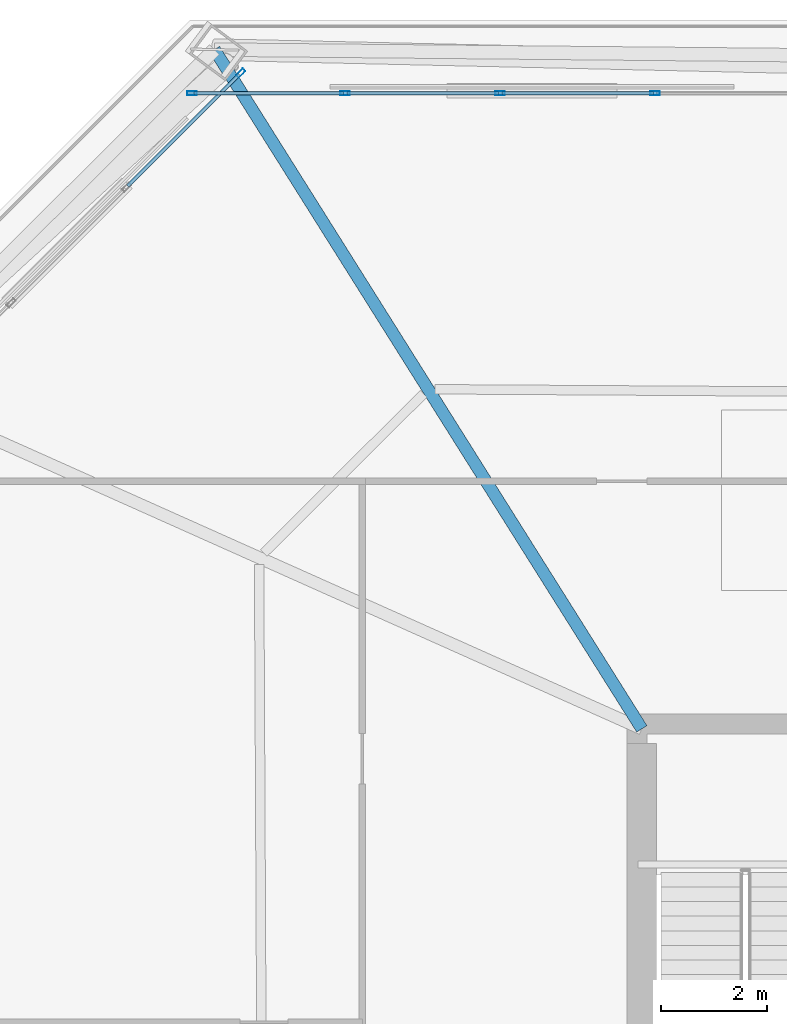
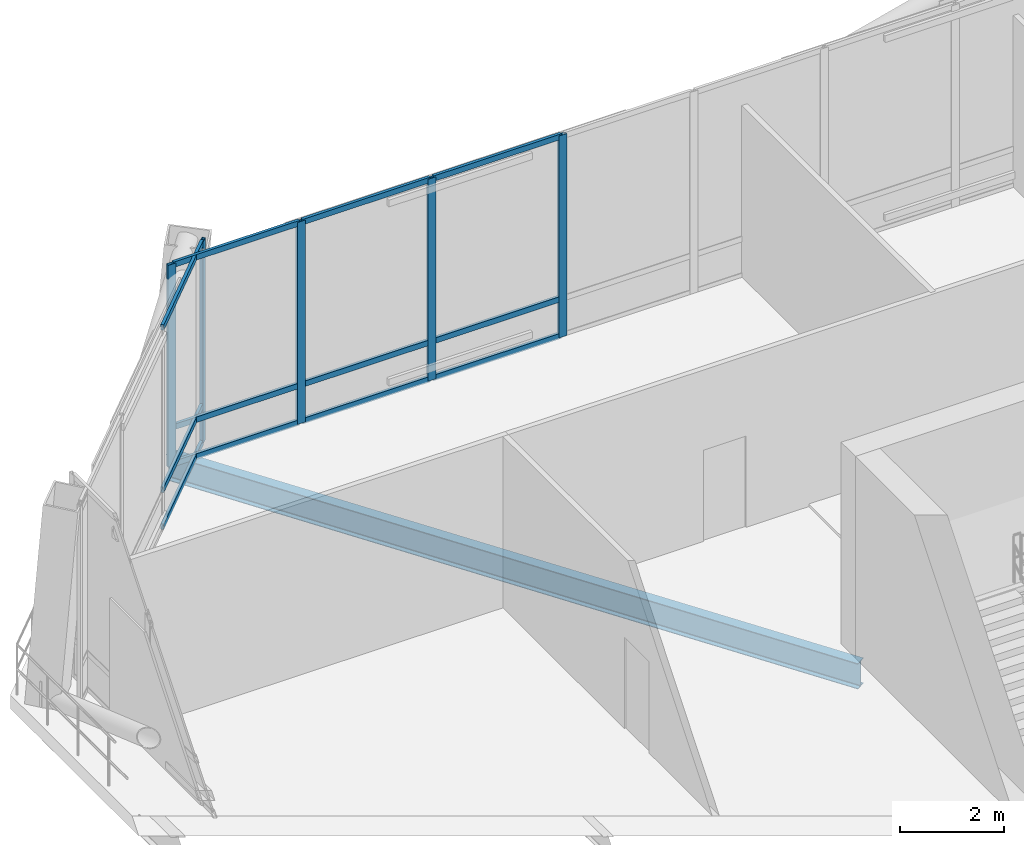
# One storey, part 20 of 34: 17 members, 1 beam, 2 elements without a shape of their own.
"""IFC4 building model written with IfcOpenShell, lengths in metres."""

from ifc_helpers import new_model, si_unit, direction, frame, origin, origin_2d, place, context, subcontext, project, spatial, hollow_rectangle, i_section, extrude, material, layer, layer_set, material_profile, profile_set, type_object, element, aggregate, save


model = new_model("IFC4")

# Units and contexts
model_context = context("Model", 3, precision=1e-05, world=origin(), true_north=direction((0.0, 1.0)))
body_context = subcontext(model_context, "Body", "Model", "MODEL_VIEW")
ifc_project = project(units=[si_unit("LENGTHUNIT", "METRE"), si_unit("AREAUNIT", "SQUARE_METRE"), si_unit("VOLUMEUNIT", "CUBIC_METRE"), si_unit("PLANEANGLEUNIT", "RADIAN"), si_unit("MASSUNIT", "GRAM", prefix="KILO")], contexts=[model_context])

# Site, building, storey
site_placement = place(None, origin())
site = spatial("IfcSite", under=ifc_project, at=site_placement, CompositionType="ELEMENT")
building_placement = place(site_placement, origin())
building = spatial("IfcBuilding", under=site, at=building_placement, Name="Caelvoria Tower", CompositionType="ELEMENT")
storey_placement = place(building_placement, frame((0.0, 0.0, 172.0)))
storey = spatial("IfcBuildingStorey", under=building, at=storey_placement, Name="L45", CompositionType="ELEMENT", Elevation=172.0)

# Curtain wall, members
ifc_material_1 = material(Name="Anodised Bronze Aluminium and Low-E Glass", Category="aluminium")
ifc_layer = layer(ifc_material_1, 0.2099609375, Name="Anodised Bronze Aluminium and Low-E Glass")
ifc_layer_set = layer_set([ifc_layer], Name="CW System 3 Sky Lobby Double-Height Acoustic Facade - Anodised Bronze Aluminium and Low-E Glass")
curtain_wall_type = type_object("IfcCurtainWallType", Name="CW System 3 Sky Lobby Double-Height Acoustic Facade", PredefinedType="NOTDEFINED", material=ifc_layer_set)
curtain_wall_1_placement = place(storey_placement, origin())
curtain_wall_1 = element("IfcCurtainWall", 1, at=curtain_wall_1_placement, inside=storey, type_object=curtain_wall_type, Name="CW-03 Curtain Wall L45-E4", PredefinedType="NOTDEFINED")
ifc_material_2 = material(Name="Anodised Bronze Architectural Aluminium", Category="aluminium")
ifc_material_profile_1 = material_profile(ifc_material_2, hollow_rectangle(XDim=0.070068359375, YDim=0.179931640625, WallThickness=0.00390625, at=origin_2d()), Name="Anodised Bronze Architectural Aluminium")
ifc_profile_set_1 = profile_set([ifc_material_profile_1], Name="CW_MULL_70X180 - Anodised Bronze Architectural Aluminium")
member_type_1 = type_object("IfcMemberType", Name="Curtain Wall Mullion 70x180 Bronze Aluminium", PredefinedType="MULLION", material=ifc_profile_set_1)
member_1_placement = place(storey_placement, frame((37.25, 51.9599609375, 0.0), z_axis=(0.0, 0.0, 1.0), x_axis=(0.0, -1.0, 0.0)))
member_1 = element("IfcMember", 2, at=member_1_placement, type_object=member_type_1, Name="CW-03 mullion 10", PredefinedType="MULLION", context=body_context, shape_type="SweptSolid", body=[
    extrude(hollow_rectangle(XDim=0.070068359375, YDim=0.179931640625, WallThickness=0.00390625, at=origin_2d()), origin(), (0.0, 0.0, 1.0), 4.760009765625),
])
member_2_placement = place(storey_placement, frame((34.333251953125, 51.9599609375, 0.0), z_axis=(0.0, 0.0, 1.0), x_axis=(0.0, -1.0, 0.0)))
member_2 = element("IfcMember", 3, at=member_2_placement, type_object=member_type_1, Name="CW-03 mullion 11", PredefinedType="MULLION", context=body_context, shape_type="SweptSolid", body=[
    extrude(hollow_rectangle(XDim=0.070068359375, YDim=0.179931640625, WallThickness=0.00390625, at=origin_2d()), origin(), (0.0, 0.0, 1.0), 4.760009765625),
])
member_3_placement = place(storey_placement, frame((31.416748046875, 51.9599609375, 0.0), z_axis=(0.0, 0.0, 1.0), x_axis=(0.0, -1.0, 0.0)))
member_3 = element("IfcMember", 4, at=member_3_placement, type_object=member_type_1, Name="CW-03 mullion 12", PredefinedType="MULLION", context=body_context, shape_type="SweptSolid", body=[
    extrude(hollow_rectangle(XDim=0.070068359375, YDim=0.179931640625, WallThickness=0.00390625, at=origin_2d()), origin(), (0.0, 0.0, 1.0), 4.760009765625),
])
member_4_placement = place(storey_placement, frame((28.534912109375, 51.9599609375, 0.0), z_axis=(0.0, 0.0, 1.0), x_axis=(0.0, -1.0, 0.0)))
member_4 = element("IfcMember", 5, at=member_4_placement, type_object=member_type_1, Name="CW-03 mullion 13", PredefinedType="MULLION", context=body_context, shape_type="SweptSolid", body=[
    extrude(hollow_rectangle(XDim=0.070068359375, YDim=0.179931640625, WallThickness=0.00390625, at=origin_2d()), origin(), (0.0, 0.0, 1.0), 4.760009765625),
])

# Curtain wall, member
curtain_wall_2_placement = place(storey_placement, origin())
curtain_wall_2 = element("IfcCurtainWall", 6, at=curtain_wall_2_placement, inside=storey, type_object=curtain_wall_type, Name="CW-03 Curtain Wall L45-E5", PredefinedType="NOTDEFINED")
member_5_placement = place(storey_placement, frame((29.451171875, 52.33935546875, 0.0), z_axis=(0.0, 0.0, 1.0), x_axis=(0.707106781187, -0.707106781187, 0.0)))
member_5 = element("IfcMember", 7, at=member_5_placement, type_object=member_type_1, Name="CW-03 mullion 1", PredefinedType="MULLION", context=body_context, shape_type="SweptSolid", body=[
    extrude(hollow_rectangle(XDim=0.070068359375, YDim=0.179931640625, WallThickness=0.00390625, at=origin_2d()), origin(), (0.0, 0.0, 1.0), 4.760009765625),
])

# Member
ifc_material_profile_2 = material_profile(ifc_material_2, hollow_rectangle(XDim=0.06494140625, YDim=0.1298828125, WallThickness=0.00341796875, at=origin_2d()), Name="Anodised Bronze Architectural Aluminium")
ifc_profile_set_2 = profile_set([ifc_material_profile_2], Name="CW_TRAN_65X130 - Anodised Bronze Architectural Aluminium")
member_type_2 = type_object("IfcMemberType", Name="Curtain Wall Transom 65x130 Bronze Aluminium", PredefinedType="USERDEFINED", material=ifc_profile_set_2)
member_6_placement = place(storey_placement, frame((37.215087890625, 51.9599609375, 0.032470703125), z_axis=(-1.0, 0.0, 0.0), x_axis=(0.0, -1.0, 0.0)))
member_6 = element("IfcMember", 8, at=member_6_placement, type_object=member_type_2, Name="CW-03 transom 10.1", ObjectType="TRANSOM", PredefinedType="USERDEFINED", context=body_context, shape_type="SweptSolid", body=[
    extrude(hollow_rectangle(XDim=0.06494140625, YDim=0.1298828125, WallThickness=0.00341796875, at=origin_2d()), origin(), (0.0, 0.0, 1.0), 2.8466796875),
])

member_7_placement = place(storey_placement, frame((37.215087890625, 51.9599609375, 0.89990234375), z_axis=(-1.0, 0.0, 0.0), x_axis=(0.0, -1.0, 0.0)))
member_7 = element("IfcMember", 9, at=member_7_placement, type_object=member_type_2, Name="CW-03 transom 10.2", ObjectType="TRANSOM", PredefinedType="USERDEFINED", context=body_context, shape_type="SweptSolid", body=[
    extrude(hollow_rectangle(XDim=0.06494140625, YDim=0.1298828125, WallThickness=0.00341796875, at=origin_2d()), origin(), (0.0, 0.0, 1.0), 2.8466796875),
])

member_8_placement = place(storey_placement, frame((37.215087890625, 51.9599609375, 4.7275390625), z_axis=(-1.0, 0.0, 0.0), x_axis=(0.0, -1.0, 0.0)))
member_8 = element("IfcMember", 10, at=member_8_placement, type_object=member_type_2, Name="CW-03 transom 10.3", ObjectType="TRANSOM", PredefinedType="USERDEFINED", context=body_context, shape_type="SweptSolid", body=[
    extrude(hollow_rectangle(XDim=0.06494140625, YDim=0.1298828125, WallThickness=0.00341796875, at=origin_2d()), origin(), (0.0, 0.0, 1.0), 2.8466796875),
])

member_9_placement = place(storey_placement, frame((34.29833984375, 51.9599609375, 0.032470703125), z_axis=(-1.0, 0.0, 0.0), x_axis=(0.0, -1.0, 0.0)))
member_9 = element("IfcMember", 11, at=member_9_placement, type_object=member_type_2, Name="CW-03 transom 11.1", ObjectType="TRANSOM", PredefinedType="USERDEFINED", context=body_context, shape_type="SweptSolid", body=[
    extrude(hollow_rectangle(XDim=0.06494140625, YDim=0.1298828125, WallThickness=0.00341796875, at=origin_2d()), origin(), (0.0, 0.0, 1.0), 2.8466796875),
])

member_10_placement = place(storey_placement, frame((34.29833984375, 51.9599609375, 0.89990234375), z_axis=(-1.0, 0.0, 0.0), x_axis=(0.0, -1.0, 0.0)))
member_10 = element("IfcMember", 12, at=member_10_placement, type_object=member_type_2, Name="CW-03 transom 11.2", ObjectType="TRANSOM", PredefinedType="USERDEFINED", context=body_context, shape_type="SweptSolid", body=[
    extrude(hollow_rectangle(XDim=0.06494140625, YDim=0.1298828125, WallThickness=0.00341796875, at=origin_2d()), origin(), (0.0, 0.0, 1.0), 2.8466796875),
])

member_11_placement = place(storey_placement, frame((34.29833984375, 51.9599609375, 4.7275390625), z_axis=(-1.0, 0.0, 0.0), x_axis=(0.0, -1.0, 0.0)))
member_11 = element("IfcMember", 13, at=member_11_placement, type_object=member_type_2, Name="CW-03 transom 11.3", ObjectType="TRANSOM", PredefinedType="USERDEFINED", context=body_context, shape_type="SweptSolid", body=[
    extrude(hollow_rectangle(XDim=0.06494140625, YDim=0.1298828125, WallThickness=0.00341796875, at=origin_2d()), origin(), (0.0, 0.0, 1.0), 2.8466796875),
])

member_12_placement = place(storey_placement, frame((31.381591796875, 51.9599609375, 0.032470703125), z_axis=(-1.0, 0.0, 0.0), x_axis=(0.0, -1.0, 0.0)))
member_12 = element("IfcMember", 14, at=member_12_placement, type_object=member_type_2, Name="CW-03 transom 12.1", ObjectType="TRANSOM", PredefinedType="USERDEFINED", context=body_context, shape_type="SweptSolid", body=[
    extrude(hollow_rectangle(XDim=0.06494140625, YDim=0.1298828125, WallThickness=0.00341796875, at=origin_2d()), origin(), (0.0, 0.0, 1.0), 2.8115234375),
])

member_13_placement = place(storey_placement, frame((31.381591796875, 51.9599609375, 0.89990234375), z_axis=(-1.0, 0.0, 0.0), x_axis=(0.0, -1.0, 0.0)))
member_13 = element("IfcMember", 15, at=member_13_placement, type_object=member_type_2, Name="CW-03 transom 12.2", ObjectType="TRANSOM", PredefinedType="USERDEFINED", context=body_context, shape_type="SweptSolid", body=[
    extrude(hollow_rectangle(XDim=0.06494140625, YDim=0.1298828125, WallThickness=0.00341796875, at=origin_2d()), origin(), (0.0, 0.0, 1.0), 2.8115234375),
])

member_14_placement = place(storey_placement, frame((31.381591796875, 51.9599609375, 4.7275390625), z_axis=(-1.0, 0.0, 0.0), x_axis=(0.0, -1.0, 0.0)))
member_14 = element("IfcMember", 16, at=member_14_placement, type_object=member_type_2, Name="CW-03 transom 12.3", ObjectType="TRANSOM", PredefinedType="USERDEFINED", context=body_context, shape_type="SweptSolid", body=[
    extrude(hollow_rectangle(XDim=0.06494140625, YDim=0.1298828125, WallThickness=0.00341796875, at=origin_2d()), origin(), (0.0, 0.0, 1.0), 2.8115234375),
])

aggregate(curtain_wall_1, [member_1, member_2, member_3, member_4, member_6, member_7, member_8, member_9, member_10, member_11, member_12, member_13, member_14])

member_15_placement = place(storey_placement, frame((29.42626953125, 52.314697265625, 0.032470703125), z_axis=(-0.707106781187, -0.707106781187, 0.0), x_axis=(0.707106781187, -0.707106781187, 0.0)))
member_15 = element("IfcMember", 17, at=member_15_placement, type_object=member_type_2, Name="CW-03 transom 1.1", ObjectType="TRANSOM", PredefinedType="USERDEFINED", context=body_context, shape_type="SweptSolid", body=[
    extrude(hollow_rectangle(XDim=0.06494140625, YDim=0.1298828125, WallThickness=0.00341796875, at=origin_2d()), origin(), (0.0, 0.0, 1.0), 2.968505859375),
])

member_16_placement = place(storey_placement, frame((29.42626953125, 52.314697265625, 0.89990234375), z_axis=(-0.707106781187, -0.707106781187, 0.0), x_axis=(0.707106781187, -0.707106781187, 0.0)))
member_16 = element("IfcMember", 18, at=member_16_placement, type_object=member_type_2, Name="CW-03 transom 1.2", ObjectType="TRANSOM", PredefinedType="USERDEFINED", context=body_context, shape_type="SweptSolid", body=[
    extrude(hollow_rectangle(XDim=0.06494140625, YDim=0.1298828125, WallThickness=0.00341796875, at=origin_2d()), origin(), (0.0, 0.0, 1.0), 2.968505859375),
])

member_17_placement = place(storey_placement, frame((29.42626953125, 52.314697265625, 4.7275390625), z_axis=(-0.707106781187, -0.707106781187, 0.0), x_axis=(0.707106781187, -0.707106781187, 0.0)))
member_17 = element("IfcMember", 19, at=member_17_placement, type_object=member_type_2, Name="CW-03 transom 1.3", ObjectType="TRANSOM", PredefinedType="USERDEFINED", context=body_context, shape_type="SweptSolid", body=[
    extrude(hollow_rectangle(XDim=0.06494140625, YDim=0.1298828125, WallThickness=0.00341796875, at=origin_2d()), origin(), (0.0, 0.0, 1.0), 2.968505859375),
])

aggregate(curtain_wall_2, [member_5, member_15, member_16, member_17])

# Beam
ifc_material_3 = material(Name="Structural Steel ASTM A992 Gr.50", Category="steel")
ifc_material_profile_3 = material_profile(ifc_material_3, i_section(OverallWidth=0.22802734375, OverallDepth=0.60302734375, WebThickness=0.010498046875, FlangeThickness=0.014892578125, FilletRadius=0.01806640625, at=origin_2d()), Name="Structural Steel ASTM A992 Gr.50")
ifc_profile_set_3 = profile_set([ifc_material_profile_3], Name="W610X101 - Structural Steel ASTM A992 Gr.50")
beam_type = type_object("IfcBeamType", Name="Primary Floor Girder W610X101", PredefinedType="BEAM", material=ifc_profile_set_3)
beam_placement = place(storey_placement, frame((37.0, 40.0, -0.62158203125), z_axis=(-0.532565439533, 0.84638883063, 0.0), x_axis=(-0.84638883063, -0.532565439533, 0.0)))
element("IfcBeam", 20, at=beam_placement, inside=storey, type_object=beam_type, Name="Primary Floor Girder L45-08", PredefinedType="BEAM", context=body_context, shape_type="SweptSolid", body=[
    extrude(i_section(OverallWidth=0.22802734375, OverallDepth=0.60302734375, WebThickness=0.010498046875, FlangeThickness=0.014892578125, FilletRadius=0.01806640625, at=origin_2d()), origin(), (0.0, 0.0, 1.0), 15.103271484375),
])

save(model, "model.ifc")
